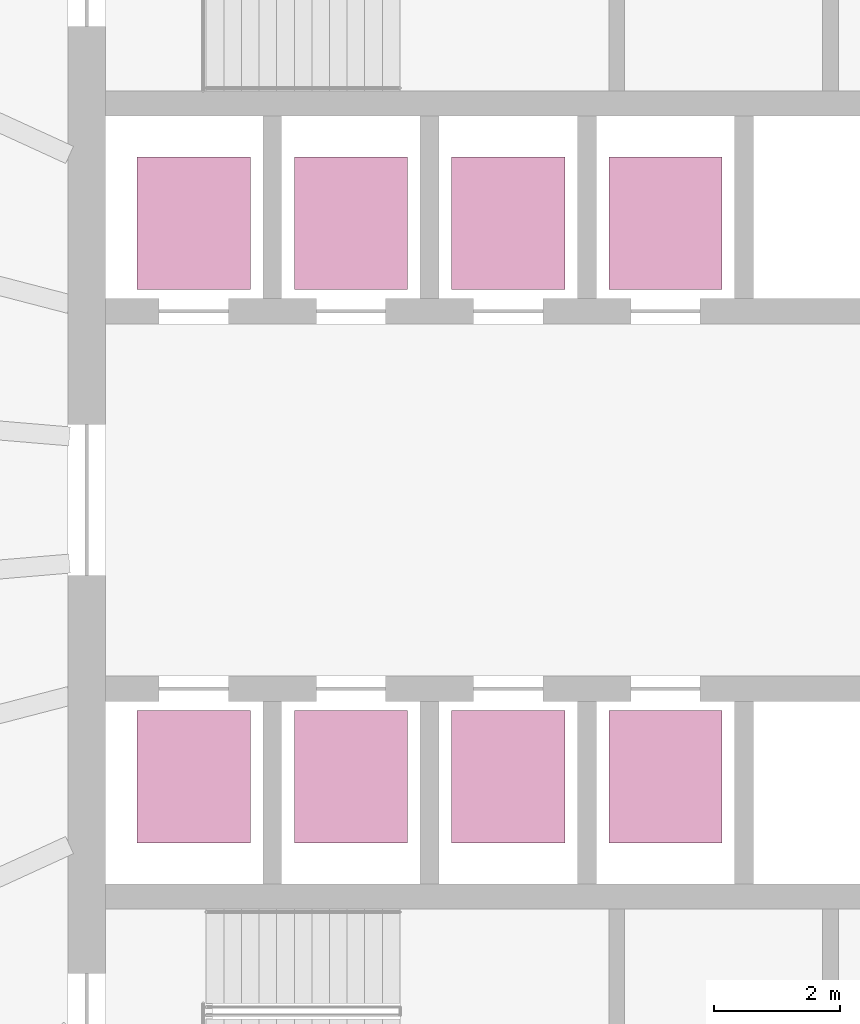
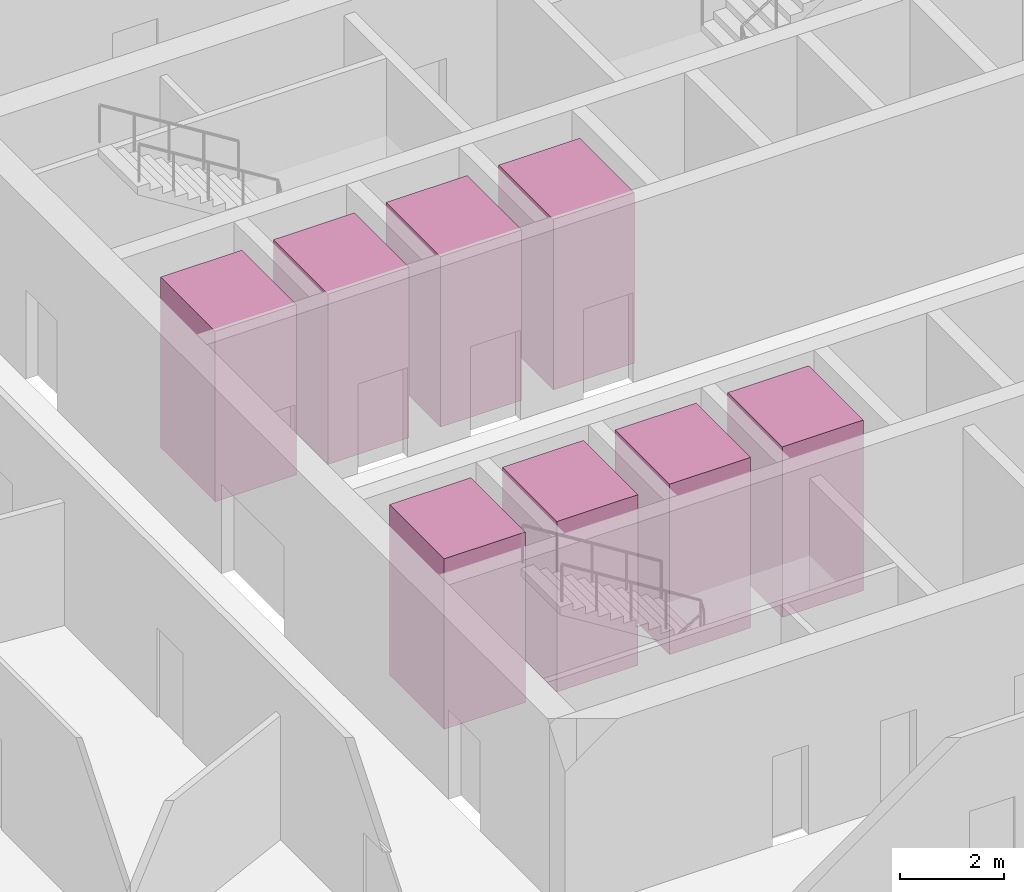
# One storey, part 10 of 10: 8 transport elements.
"""IFC4 building model written with IfcOpenShell, lengths in metres."""

from ifc_helpers import new_model, si_unit, direction, frame, origin, origin_2d, place, context, subcontext, project, spatial, rectangle, extrude, material, type_object, element, save


model = new_model("IFC4")

# Units and contexts
model_context = context("Model", 3, precision=1e-05, world=origin(), true_north=direction((0.0, 1.0)))
body_context = subcontext(model_context, "Body", "Model", "MODEL_VIEW")
ifc_project = project(units=[si_unit("LENGTHUNIT", "METRE"), si_unit("AREAUNIT", "SQUARE_METRE"), si_unit("VOLUMEUNIT", "CUBIC_METRE"), si_unit("PLANEANGLEUNIT", "RADIAN"), si_unit("MASSUNIT", "GRAM", prefix="KILO")], contexts=[model_context])

# Site, building, storey
site_placement = place(None, origin())
site = spatial("IfcSite", under=ifc_project, at=site_placement, CompositionType="ELEMENT")
building_placement = place(site_placement, origin())
building = spatial("IfcBuilding", under=site, at=building_placement, Name="Halqa Exchange Tower", CompositionType="ELEMENT")
storey_placement = place(building_placement, frame((0.0, 0.0, 48.699951171875)))
storey = spatial("IfcBuildingStorey", under=building, at=storey_placement, Name="L10", CompositionType="ELEMENT", Elevation=48.699951171875)

# Transport elements
ifc_material = material(Name="Stainless steel", Category="steel")
transport_element_type = type_object("IfcTransportElementType", Name="Low-rise passenger lift 1800 x 2100", PredefinedType="ELEVATOR", material=ifc_material)
for number, where, z_axis, x_axis, name in (
    (1, (-10.0, 4.39990234375, 0.0), (0.0, 0.0, 1.0), (1.0, 0.0, 0.0), "Low-rise passenger lift LR1"),
    (2, (-7.5, 4.39990234375, 0.0), (0.0, 0.0, 1.0), (1.0, 0.0, 0.0), "Low-rise passenger lift LR2"),
    (3, (-5.0, 4.39990234375, 0.0), (0.0, 0.0, 1.0), (1.0, 0.0, 0.0), "Low-rise passenger lift LR3"),
    (4, (-2.5, 4.39990234375, 0.0), (0.0, 0.0, 1.0), (1.0, 0.0, 0.0), "Low-rise passenger lift LR4"),
    (5, (-10.0, -4.39990234375, 0.0), (0.0, 0.0, 1.0), (1.0, 0.0, 0.0), "Low-rise passenger lift LR5"),
    (6, (-7.5, -4.39990234375, 0.0), (0.0, 0.0, 1.0), (1.0, 0.0, 0.0), "Low-rise passenger lift LR6"),
    (7, (-5.0, -4.39990234375, 0.0), (0.0, 0.0, 1.0), (1.0, 0.0, 0.0), "Low-rise passenger lift LR7"),
    (8, (-2.5, -4.39990234375, 0.0), (0.0, 0.0, 1.0), (1.0, 0.0, 0.0), "Low-rise passenger lift LR8"),
):
    element("IfcTransportElement", number, at=place(storey_placement, frame(where, z_axis=z_axis, x_axis=x_axis)), inside=storey, type_object=transport_element_type, Name=name, PredefinedType="ELEVATOR", context=body_context, shape_type="SweptSolid", body=[
        extrude(rectangle(XDim=1.800048828125, YDim=2.10009765625, at=origin_2d()), origin(), (0.0, 0.0, 1.0), 4.0),
    ])

save(model, "model.ifc")
